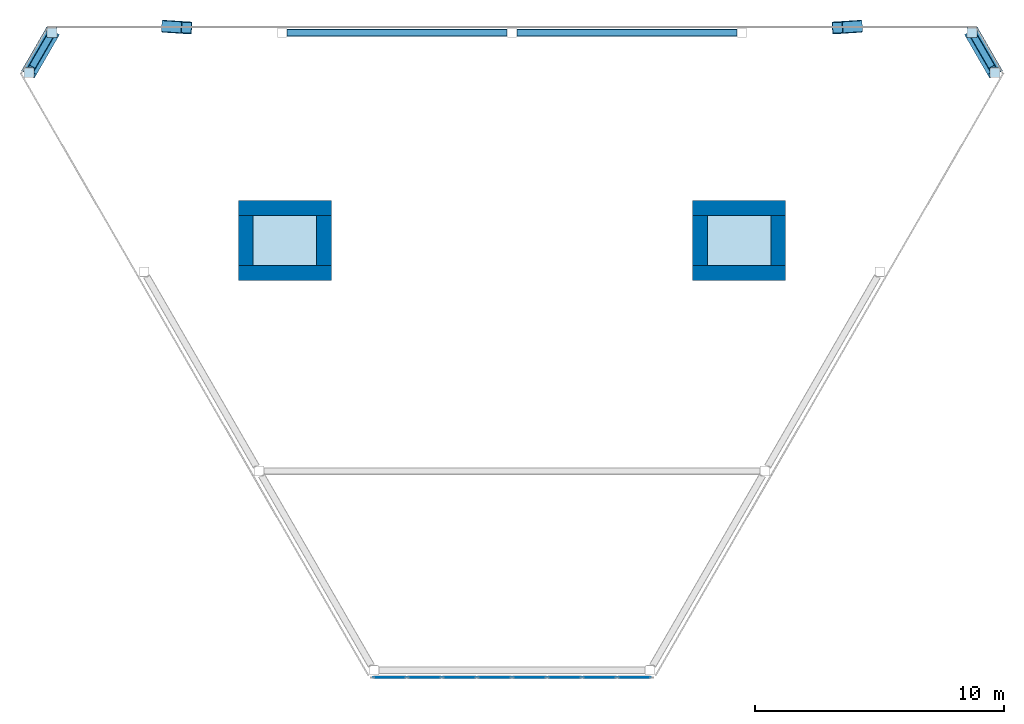
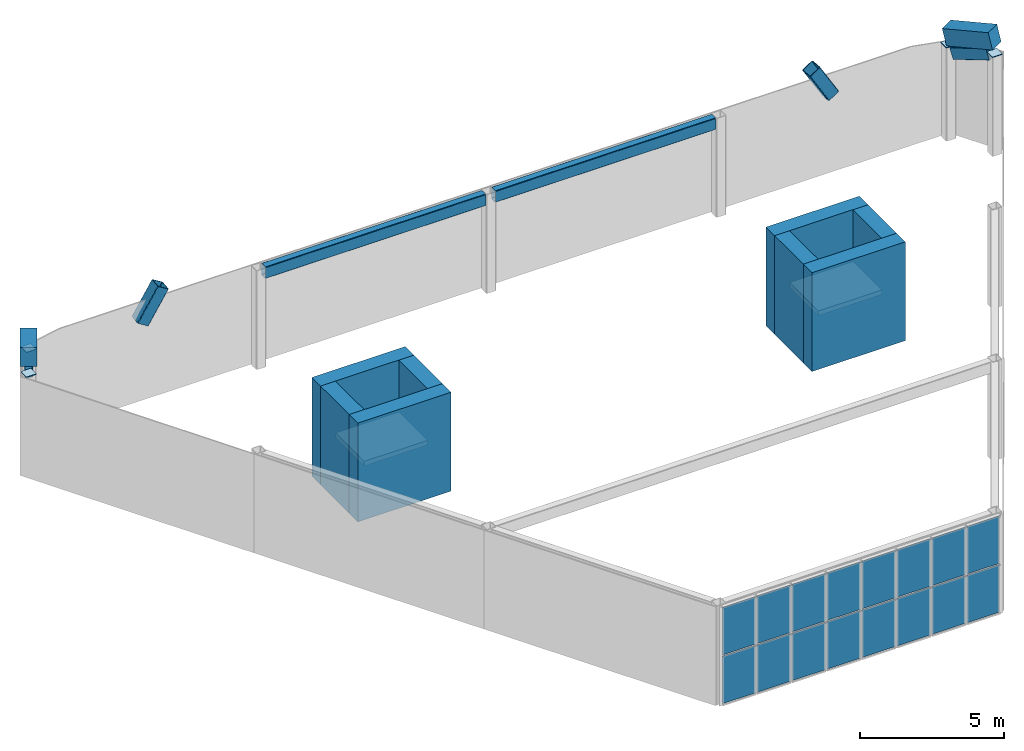
# One storey, part 3 of 4: 20 plates, 8 walls, 4 beams, 4 members, 2 slabs, 1 element without a shape of its own.
"""IFC4 building model written with IfcOpenShell, lengths in metres."""

from ifc_helpers import new_model, si_unit, direction, frame, frame_2d, origin, origin_2d, place, context, subcontext, project, spatial, polyline, rectangle, hollow_rectangle, outline, extrude, material, layer, layer_set, material_profile, profile_set, type_object, element, aggregate, save


model = new_model("IFC4")

# Units and contexts
model_context = context("Model", 3, precision=1e-05, world=origin(), true_north=direction((0.0, 1.0)))
body_context = subcontext(model_context, "Body", "Model", "MODEL_VIEW")
ifc_project = project(units=[si_unit("LENGTHUNIT", "METRE"), si_unit("AREAUNIT", "SQUARE_METRE"), si_unit("VOLUMEUNIT", "CUBIC_METRE"), si_unit("PLANEANGLEUNIT", "RADIAN"), si_unit("MASSUNIT", "GRAM", prefix="KILO")], contexts=[model_context])

# Site, building, storey
site_placement = place(None, origin())
site = spatial("IfcSite", under=ifc_project, at=site_placement, CompositionType="ELEMENT")
building_placement = place(site_placement, origin())
building = spatial("IfcBuilding", under=site, at=building_placement, Name="Aloe Facet Convention Tower", CompositionType="ELEMENT")
storey_placement = place(building_placement, frame((0.0, 0.0, 289.699951171875)))
storey = spatial("IfcBuildingStorey", under=building, at=storey_placement, Name="C2", CompositionType="ELEMENT", Elevation=289.699951171875)

# Members
ifc_material_1 = material(Name="Steel S355, bronze oxide finish", Category="steel")
ifc_material_profile_1 = material_profile(ifc_material_1, hollow_rectangle(XDim=0.5, YDim=0.5, WallThickness=0.02490234375, InnerFilletRadius=0.02490234375, OuterFilletRadius=0.050048828125, at=origin_2d()), Name="SHS 500x500x25")
ifc_profile_set_1 = profile_set([ifc_material_profile_1], Name="Steel S355, bronze oxide finish")
member_type_1 = type_object("IfcMemberType", Name="STW-CROWN FRAME BRACE", PredefinedType="BRACE", material=ifc_profile_set_1)
for number, where, z_axis, x_axis, name in (
    (1, (93.864501953125, 135.050048828125, 3.35009765625), (-0.509464012071, -0.032475162461, 0.859878935797), (0.063614670336, -0.997974535606, 0.0), "Crown frame brace CF-B-B01-N3"),
    (2, (66.135498046875, 135.050048828125, 3.35009765625), (0.509464012071, -0.032475162461, 0.859878935797), (0.063614670336, 0.997974535606, 0.0), "Crown frame brace CF-B-B04-N3"),
):
    element("IfcMember", number, at=place(storey_placement, frame(where, z_axis=z_axis, x_axis=x_axis)), inside=storey, type_object=member_type_1, Name=name, PredefinedType="BRACE", context=body_context, shape_type="SweptSolid", body=[
        extrude(hollow_rectangle(XDim=0.5, YDim=0.5, WallThickness=0.02490234375, InnerFilletRadius=0.02490234375, OuterFilletRadius=0.050048828125, at=origin_2d()), origin(), (0.0, 0.0, 1.0), 1.541259765625),
    ])

# Beams
ifc_material_2 = material(Name="Steel S355, bronze oxide finish", Category="steel")
ifc_material_profile_2 = material_profile(ifc_material_2, hollow_rectangle(XDim=0.300048828125, YDim=0.5, WallThickness=0.02001953125, InnerFilletRadius=0.02001953125, OuterFilletRadius=0.0400390625, at=origin_2d()), Name="RHS 500x300x20")
ifc_profile_set_2 = profile_set([ifc_material_profile_2], Name="Steel S355, bronze oxide finish")
beam_type_1 = type_object("IfcBeamType", Name="STW-CROWN FRAME CAP", PredefinedType="BEAM", material=ifc_profile_set_2)
for number, where, z_axis, x_axis, name in (
    (3, (61.413818359375, 134.626708984375, 3.7021484375), (-0.475584871082, -0.823686797212, 0.308802672423), (0.866012165801, -0.500022928159, 0.0), "Crown frame cap CF-C-B05"),
    (4, (99.31298828125, 133.367919921875, 4.174072265625), (-0.475584871082, 0.823686797212, -0.308802672423), (-0.866012165801, -0.500022928159, 0.0), "Crown frame cap CF-C-B13"),
):
    element("IfcBeam", number, at=place(storey_placement, frame(where, z_axis=z_axis, x_axis=x_axis)), inside=storey, type_object=beam_type_1, Name=name, PredefinedType="BEAM", context=body_context, shape_type="SweptSolid", body=[
        extrude(hollow_rectangle(XDim=0.300048828125, YDim=0.5, WallThickness=0.02001953125, InnerFilletRadius=0.02001953125, OuterFilletRadius=0.0400390625, at=origin_2d()), origin(), (0.0, 0.0, 1.0), 1.5283203125),
    ])
ifc_material_3 = material(Name="Steel S355, bronze oxide finish", Category="steel")
ifc_material_profile_3 = material_profile(ifc_material_3, hollow_rectangle(XDim=0.300048828125, YDim=0.5, WallThickness=0.02001953125, InnerFilletRadius=0.02001953125, OuterFilletRadius=0.0400390625, at=origin_2d()), Name="RHS 500x300x20")
ifc_profile_set_3 = profile_set([ifc_material_profile_3], Name="Steel S355, bronze oxide finish")
beam_type_2 = type_object("IfcBeamType", Name="STW-CROWN FRAME RING", PredefinedType="BEAM", material=ifc_profile_set_3)
for number, where, z_axis, x_axis, name in (
    (5, (89.04296875, 134.800048828125, 3.949951171875), (-1.0, 0.0, 0.0), (0.0, -1.0, 0.0), "Crown frame ring CF-R-B02-C3"),
    (6, (79.800048828125, 134.800048828125, 3.949951171875), (-1.0, 0.0, 0.0), (0.0, -1.0, 0.0), "Crown frame ring CF-R-B03-C3"),
):
    element("IfcBeam", number, at=place(storey_placement, frame(where, z_axis=z_axis, x_axis=x_axis)), inside=storey, type_object=beam_type_2, Name=name, PredefinedType="BEAM", context=body_context, shape_type="SweptSolid", body=[
        extrude(hollow_rectangle(XDim=0.300048828125, YDim=0.5, WallThickness=0.02001953125, InnerFilletRadius=0.02001953125, OuterFilletRadius=0.0400390625, at=origin_2d()), origin(), (0.0, 0.0, 1.0), 8.843017578125),
    ])

# Members
ifc_material_4 = material(Name="Precast concrete C40/50", Category="concrete")
ifc_material_profile_4 = material_profile(ifc_material_4, rectangle(XDim=0.60009765625, YDim=0.699951171875, at=origin_2d()), Name="STW-CROWN STONE CAP")
ifc_profile_set_4 = profile_set([ifc_material_profile_4], Name="Precast concrete C40/50")
member_type_2 = type_object("IfcMemberType", Name="STW-CROWN STONE CAP", PredefinedType="MEMBER", material=ifc_profile_set_4)
for number, where, z_axis, x_axis, name in (
    (7, (61.513916015625, 134.800048828125, 4.419677734375), (-0.484534081827, -0.839254896737, 0.246734557474), (0.866029853578, -0.499992292652, 0.0), "Crown stone cap CF-SC-B05"),
    (8, (99.412841796875, 133.19482421875, 4.8916015625), (-0.484534081827, 0.839254896737, -0.246734557474), (-0.866029853578, -0.499992292652, 0.0), "Crown stone cap CF-SC-B13"),
):
    element("IfcMember", number, at=place(storey_placement, frame(where, z_axis=z_axis, x_axis=x_axis)), inside=storey, type_object=member_type_2, Name=name, PredefinedType="MEMBER", context=body_context, shape_type="SweptSolid", body=[
        extrude(rectangle(XDim=0.60009765625, YDim=0.699951171875, at=origin_2d()), origin(), (0.0, 0.0, 1.0), 1.91259765625),
    ])

# Slabs
ifc_material_5 = material(Name="Concrete C50/60", Category="concrete")
ifc_layer_1 = layer(ifc_material_5, 0.199951171875)
ifc_layer_set_1 = layer_set([ifc_layer_1], Name="CR-S-LID200-C5060")
slab_type = type_object("IfcSlabType", Name="CR-S-LID200-C5060", PredefinedType="ROOF", material=ifc_layer_set_1)
slab_1_placement = place(storey_placement, frame((0.0, 0.0, 1.800048828125)))
element("IfcSlab", 9, at=slab_1_placement, inside=storey, type_object=slab_type, Name="Lift shaft lid FF1", PredefinedType="ROOF", context=body_context, shape_type="SweptSolid", body=[
    extrude(outline(polyline([(72.151123046875, 127.451171875), (72.151123046875, 125.44873046875), (69.598876953125, 125.44873046875), (69.598876953125, 127.451171875), (72.151123046875, 127.451171875)])), origin(), (0.0, 0.0, 1.0), 0.199951171875),
])
slab_2_placement = place(storey_placement, frame((0.0, 0.0, 1.800048828125)))
element("IfcSlab", 10, at=slab_2_placement, inside=storey, type_object=slab_type, Name="Lift shaft lid FF2", PredefinedType="ROOF", context=body_context, shape_type="SweptSolid", body=[
    extrude(outline(polyline([(90.401123046875, 127.451171875), (90.401123046875, 125.44873046875), (87.848876953125, 125.44873046875), (87.848876953125, 127.451171875), (90.401123046875, 127.451171875)])), origin(), (0.0, 0.0, 1.0), 0.199951171875),
])

# Curtain wall, plates
ifc_material_6 = material(Name="Aluminium, anodised", Category="aluminium")
curtain_wall_type = type_object("IfcCurtainWallType", Name="EV-CW-CROWN", PredefinedType="USERDEFINED", material=ifc_material_6)
curtain_wall_placement = place(storey_placement, origin())
curtain_wall = element("IfcCurtainWall", 11, at=curtain_wall_placement, inside=storey, type_object=curtain_wall_type, Name="CW-C2-Z09", ObjectType="CROWN SCREEN GLAZING", PredefinedType="USERDEFINED")
ifc_material_7 = material(Name="Clear double glazing", Category="glass")
ifc_layer_2 = layer(ifc_material_7, 0.031982421875)
ifc_layer_set_2 = layer_set([ifc_layer_2], Name="EV-PANEL-CROWN")
plate_type_1 = type_object("IfcPlateType", Name="EV-PANEL-CROWN", PredefinedType="CURTAIN_PANEL", material=ifc_layer_set_2)
plate_1_placement = place(storey_placement, frame((75.090087890625, 108.890625, 0.06005859375), z_axis=(0.0, 0.0, 1.0), x_axis=(1.0, 0.0, 0.0)))
plate_1 = element("IfcPlate", 12, at=plate_1_placement, type_object=plate_type_1, Name="CW-C2-Z09 panel 1.1", PredefinedType="CURTAIN_PANEL", context=body_context, shape_type="SweptSolid", body=[
    extrude(rectangle(XDim=1.317138671875, YDim=0.031982421875, at=origin_2d()), origin(), (0.0, 0.0, 1.0), 2.010009765625),
])
plate_2_placement = place(storey_placement, frame((75.090087890625, 108.890625, 2.1298828125), z_axis=(0.0, 0.0, 1.0), x_axis=(1.0, 0.0, 0.0)))
plate_2 = element("IfcPlate", 13, at=plate_2_placement, type_object=plate_type_1, Name="CW-C2-Z09 panel 1.2", PredefinedType="CURTAIN_PANEL", context=body_context, shape_type="SweptSolid", body=[
    extrude(rectangle(XDim=1.317138671875, YDim=0.031982421875, at=origin_2d()), origin(), (0.0, 0.0, 1.0), 2.010009765625),
])
plate_3_placement = place(storey_placement, frame((76.482177734375, 108.890625, 0.06005859375), z_axis=(0.0, 0.0, 1.0), x_axis=(1.0, 0.0, 0.0)))
plate_3 = element("IfcPlate", 14, at=plate_3_placement, type_object=plate_type_1, Name="CW-C2-Z09 panel 2.1", PredefinedType="CURTAIN_PANEL", context=body_context, shape_type="SweptSolid", body=[
    extrude(rectangle(XDim=1.34716796875, YDim=0.031982421875, at=origin_2d()), origin(), (0.0, 0.0, 1.0), 2.010009765625),
])
plate_4_placement = place(storey_placement, frame((76.482177734375, 108.890625, 2.1298828125), z_axis=(0.0, 0.0, 1.0), x_axis=(1.0, 0.0, 0.0)))
plate_4 = element("IfcPlate", 15, at=plate_4_placement, type_object=plate_type_1, Name="CW-C2-Z09 panel 2.2", PredefinedType="CURTAIN_PANEL", context=body_context, shape_type="SweptSolid", body=[
    extrude(rectangle(XDim=1.34716796875, YDim=0.031982421875, at=origin_2d()), origin(), (0.0, 0.0, 1.0), 2.010009765625),
])
plate_5_placement = place(storey_placement, frame((77.889404296875, 108.890625, 0.06005859375), z_axis=(0.0, 0.0, 1.0), x_axis=(1.0, 0.0, 0.0)))
plate_5 = element("IfcPlate", 16, at=plate_5_placement, type_object=plate_type_1, Name="CW-C2-Z09 panel 3.1", PredefinedType="CURTAIN_PANEL", context=body_context, shape_type="SweptSolid", body=[
    extrude(rectangle(XDim=1.34716796875, YDim=0.031982421875, at=origin_2d()), origin(), (0.0, 0.0, 1.0), 2.010009765625),
])
plate_6_placement = place(storey_placement, frame((77.889404296875, 108.890625, 2.1298828125), z_axis=(0.0, 0.0, 1.0), x_axis=(1.0, 0.0, 0.0)))
plate_6 = element("IfcPlate", 17, at=plate_6_placement, type_object=plate_type_1, Name="CW-C2-Z09 panel 3.2", PredefinedType="CURTAIN_PANEL", context=body_context, shape_type="SweptSolid", body=[
    extrude(rectangle(XDim=1.34716796875, YDim=0.031982421875, at=origin_2d()), origin(), (0.0, 0.0, 1.0), 2.010009765625),
])
plate_7_placement = place(storey_placement, frame((79.29638671875, 108.890625, 0.06005859375), z_axis=(0.0, 0.0, 1.0), x_axis=(1.0, 0.0, 0.0)))
plate_7 = element("IfcPlate", 18, at=plate_7_placement, type_object=plate_type_1, Name="CW-C2-Z09 panel 4.1", PredefinedType="CURTAIN_PANEL", context=body_context, shape_type="SweptSolid", body=[
    extrude(rectangle(XDim=1.34716796875, YDim=0.031982421875, at=origin_2d()), origin(), (0.0, 0.0, 1.0), 2.010009765625),
])
plate_8_placement = place(storey_placement, frame((79.29638671875, 108.890625, 2.1298828125), z_axis=(0.0, 0.0, 1.0), x_axis=(1.0, 0.0, 0.0)))
plate_8 = element("IfcPlate", 19, at=plate_8_placement, type_object=plate_type_1, Name="CW-C2-Z09 panel 4.2", PredefinedType="CURTAIN_PANEL", context=body_context, shape_type="SweptSolid", body=[
    extrude(rectangle(XDim=1.34716796875, YDim=0.031982421875, at=origin_2d()), origin(), (0.0, 0.0, 1.0), 2.010009765625),
])
plate_9_placement = place(storey_placement, frame((80.70361328125, 108.890625, 0.06005859375), z_axis=(0.0, 0.0, 1.0), x_axis=(1.0, 0.0, 0.0)))
plate_9 = element("IfcPlate", 20, at=plate_9_placement, type_object=plate_type_1, Name="CW-C2-Z09 panel 5.1", PredefinedType="CURTAIN_PANEL", context=body_context, shape_type="SweptSolid", body=[
    extrude(rectangle(XDim=1.34716796875, YDim=0.031982421875, at=origin_2d()), origin(), (0.0, 0.0, 1.0), 2.010009765625),
])
plate_10_placement = place(storey_placement, frame((80.70361328125, 108.890625, 2.1298828125), z_axis=(0.0, 0.0, 1.0), x_axis=(1.0, 0.0, 0.0)))
plate_10 = element("IfcPlate", 21, at=plate_10_placement, type_object=plate_type_1, Name="CW-C2-Z09 panel 5.2", PredefinedType="CURTAIN_PANEL", context=body_context, shape_type="SweptSolid", body=[
    extrude(rectangle(XDim=1.34716796875, YDim=0.031982421875, at=origin_2d()), origin(), (0.0, 0.0, 1.0), 2.010009765625),
])
plate_11_placement = place(storey_placement, frame((82.110595703125, 108.890625, 0.06005859375), z_axis=(0.0, 0.0, 1.0), x_axis=(1.0, 0.0, 0.0)))
plate_11 = element("IfcPlate", 22, at=plate_11_placement, type_object=plate_type_1, Name="CW-C2-Z09 panel 6.1", PredefinedType="CURTAIN_PANEL", context=body_context, shape_type="SweptSolid", body=[
    extrude(rectangle(XDim=1.34716796875, YDim=0.031982421875, at=origin_2d()), origin(), (0.0, 0.0, 1.0), 2.010009765625),
])
plate_12_placement = place(storey_placement, frame((82.110595703125, 108.890625, 2.1298828125), z_axis=(0.0, 0.0, 1.0), x_axis=(1.0, 0.0, 0.0)))
plate_12 = element("IfcPlate", 23, at=plate_12_placement, type_object=plate_type_1, Name="CW-C2-Z09 panel 6.2", PredefinedType="CURTAIN_PANEL", context=body_context, shape_type="SweptSolid", body=[
    extrude(rectangle(XDim=1.34716796875, YDim=0.031982421875, at=origin_2d()), origin(), (0.0, 0.0, 1.0), 2.010009765625),
])
plate_13_placement = place(storey_placement, frame((83.517822265625, 108.890625, 0.06005859375), z_axis=(0.0, 0.0, 1.0), x_axis=(1.0, 0.0, 0.0)))
plate_13 = element("IfcPlate", 24, at=plate_13_placement, type_object=plate_type_1, Name="CW-C2-Z09 panel 7.1", PredefinedType="CURTAIN_PANEL", context=body_context, shape_type="SweptSolid", body=[
    extrude(rectangle(XDim=1.34716796875, YDim=0.031982421875, at=origin_2d()), origin(), (0.0, 0.0, 1.0), 2.010009765625),
])
plate_14_placement = place(storey_placement, frame((83.517822265625, 108.890625, 2.1298828125), z_axis=(0.0, 0.0, 1.0), x_axis=(1.0, 0.0, 0.0)))
plate_14 = element("IfcPlate", 25, at=plate_14_placement, type_object=plate_type_1, Name="CW-C2-Z09 panel 7.2", PredefinedType="CURTAIN_PANEL", context=body_context, shape_type="SweptSolid", body=[
    extrude(rectangle(XDim=1.34716796875, YDim=0.031982421875, at=origin_2d()), origin(), (0.0, 0.0, 1.0), 2.010009765625),
])
plate_15_placement = place(storey_placement, frame((84.909912109375, 108.890625, 0.06005859375), z_axis=(0.0, 0.0, 1.0), x_axis=(1.0, 0.0, 0.0)))
plate_15 = element("IfcPlate", 26, at=plate_15_placement, type_object=plate_type_1, Name="CW-C2-Z09 panel 8.1", PredefinedType="CURTAIN_PANEL", context=body_context, shape_type="SweptSolid", body=[
    extrude(rectangle(XDim=1.317138671875, YDim=0.031982421875, at=origin_2d()), origin(), (0.0, 0.0, 1.0), 2.010009765625),
])
plate_16_placement = place(storey_placement, frame((84.909912109375, 108.890625, 2.1298828125), z_axis=(0.0, 0.0, 1.0), x_axis=(1.0, 0.0, 0.0)))
plate_16 = element("IfcPlate", 27, at=plate_16_placement, type_object=plate_type_1, Name="CW-C2-Z09 panel 8.2", PredefinedType="CURTAIN_PANEL", context=body_context, shape_type="SweptSolid", body=[
    extrude(rectangle(XDim=1.317138671875, YDim=0.031982421875, at=origin_2d()), origin(), (0.0, 0.0, 1.0), 2.010009765625),
])
aggregate(curtain_wall, [plate_1, plate_2, plate_3, plate_4, plate_5, plate_6, plate_7, plate_8, plate_9, plate_10, plate_11, plate_12, plate_13, plate_14, plate_15, plate_16])

# Plates
ifc_material_8 = material(Name="Steel S355", Category="steel")
ifc_layer_3 = layer(ifc_material_8, 0.030029296875)
ifc_layer_set_3 = layer_set([ifc_layer_3], Name="STW-CROWN END PLATE")
plate_type_2 = type_object("IfcPlateType", Name="STW-CROWN END PLATE", PredefinedType="SHEET", material=ifc_layer_set_3)
plate_17_placement = place(storey_placement, frame((0.0, 0.0, 3.9521484375)))
element("IfcPlate", 28, at=plate_17_placement, inside=storey, type_object=plate_type_2, Name="End plate CF-EP-N1", PredefinedType="SHEET", context=body_context, shape_type="SweptSolid", body=[
    extrude(outline(polyline([(98.2861328125, 134.60009765625), (98.68603515625, 134.60009765625), (98.68603515625, 135.0), (98.2861328125, 135.0), (98.2861328125, 134.60009765625)])), origin(), (0.0, 0.0, 1.0), 0.030029296875),
])
plate_18_placement = place(storey_placement, frame((0.0, 0.0, 3.9521484375)))
element("IfcPlate", 29, at=plate_18_placement, inside=storey, type_object=plate_type_2, Name="End plate CF-EP-N5", PredefinedType="SHEET", context=body_context, shape_type="SweptSolid", body=[
    extrude(outline(polyline([(61.31396484375, 134.60009765625), (61.7138671875, 134.60009765625), (61.7138671875, 135.0), (61.31396484375, 135.0), (61.31396484375, 134.60009765625)])), origin(), (0.0, 0.0, 1.0), 0.030029296875),
])
plate_19_placement = place(storey_placement, frame((0.0, 0.0, 4.199951171875)))
element("IfcPlate", 30, at=plate_19_placement, inside=storey, type_object=plate_type_2, Name="End plate CF-EP-WSW1", PredefinedType="SHEET", context=body_context, shape_type="SweptSolid", body=[
    extrude(outline(polyline([(60.386962890625, 132.99462890625), (60.787109375, 132.99462890625), (60.787109375, 133.394775390625), (60.386962890625, 133.394775390625), (60.386962890625, 132.99462890625)])), origin(), (0.0, 0.0, 1.0), 0.030029296875),
])
plate_20_placement = place(storey_placement, frame((0.0, 0.0, 4.199951171875)))
element("IfcPlate", 31, at=plate_20_placement, inside=storey, type_object=plate_type_2, Name="End plate CF-EP-ESE5", PredefinedType="SHEET", context=body_context, shape_type="SweptSolid", body=[
    extrude(outline(polyline([(99.212890625, 132.99462890625), (99.613037109375, 132.99462890625), (99.613037109375, 133.394775390625), (99.212890625, 133.394775390625), (99.212890625, 132.99462890625)])), origin(), (0.0, 0.0, 1.0), 0.030029296875),
])

# Walls
ifc_material_9 = material(Name="Concrete C50/60", Category="concrete")
ifc_layer_4 = layer(ifc_material_9, 0.60009765625)
ifc_layer_set_4 = layer_set([ifc_layer_4], Name="CR-W-RC600-C5060")
wall_type = type_object("IfcWallType", Name="CR-W-RC600-C5060", PredefinedType="SOLIDWALL", material=ifc_layer_set_4)
wall_1_placement = place(storey_placement, frame((69.0, 127.75, 0.0), z_axis=(0.0, 0.0, 1.0), x_axis=(1.0, 0.0, 0.0)))
element("IfcWall", 32, at=wall_1_placement, inside=storey, type_object=wall_type, Name="Core wall C2-001", PredefinedType="SOLIDWALL", context=body_context, shape_type="SweptSolid", body=[
    extrude(rectangle(XDim=3.75, YDim=0.60009765625, at=frame_2d((1.875, 0.0))), origin(), (0.0, 0.0, 1.0), 4.199951171875),
])
wall_2_placement = place(storey_placement, frame((69.300048828125, 127.449951171875, 0.0), z_axis=(0.0, 0.0, 1.0), x_axis=(0.0, -1.0, 0.0)))
element("IfcWall", 33, at=wall_2_placement, inside=storey, type_object=wall_type, Name="Core wall C2-002", PredefinedType="SOLIDWALL", context=body_context, shape_type="SweptSolid", body=[
    extrude(rectangle(XDim=2.0, YDim=0.60009765625, at=frame_2d((1.0, 0.0))), origin(), (0.0, 0.0, 1.0), 4.199951171875),
])
wall_3_placement = place(storey_placement, frame((69.0, 125.14990234375, 0.0), z_axis=(0.0, 0.0, 1.0), x_axis=(1.0, 0.0, 0.0)))
element("IfcWall", 34, at=wall_3_placement, inside=storey, type_object=wall_type, Name="Core wall C2-003", PredefinedType="SOLIDWALL", context=body_context, shape_type="SweptSolid", body=[
    extrude(rectangle(XDim=3.75, YDim=0.60009765625, at=frame_2d((1.875, 0.0))), origin(), (0.0, 0.0, 1.0), 4.199951171875),
])
wall_4_placement = place(storey_placement, frame((72.449951171875, 127.449951171875, 0.0), z_axis=(0.0, 0.0, 1.0), x_axis=(0.0, -1.0, 0.0)))
element("IfcWall", 35, at=wall_4_placement, inside=storey, type_object=wall_type, Name="Core wall C2-004", PredefinedType="SOLIDWALL", context=body_context, shape_type="SweptSolid", body=[
    extrude(rectangle(XDim=2.0, YDim=0.60009765625, at=frame_2d((1.0, 0.0))), origin(), (0.0, 0.0, 1.0), 4.199951171875),
])
wall_5_placement = place(storey_placement, frame((87.25, 127.75, 0.0), z_axis=(0.0, 0.0, 1.0), x_axis=(1.0, 0.0, 0.0)))
element("IfcWall", 36, at=wall_5_placement, inside=storey, type_object=wall_type, Name="Core wall C2-005", PredefinedType="SOLIDWALL", context=body_context, shape_type="SweptSolid", body=[
    extrude(rectangle(XDim=3.75, YDim=0.60009765625, at=frame_2d((1.875, 0.0))), origin(), (0.0, 0.0, 1.0), 4.199951171875),
])
wall_6_placement = place(storey_placement, frame((87.550048828125, 127.449951171875, 0.0), z_axis=(0.0, 0.0, 1.0), x_axis=(0.0, -1.0, 0.0)))
element("IfcWall", 37, at=wall_6_placement, inside=storey, type_object=wall_type, Name="Core wall C2-006", PredefinedType="SOLIDWALL", context=body_context, shape_type="SweptSolid", body=[
    extrude(rectangle(XDim=2.0, YDim=0.60009765625, at=frame_2d((1.0, 0.0))), origin(), (0.0, 0.0, 1.0), 4.199951171875),
])
wall_7_placement = place(storey_placement, frame((87.25, 125.14990234375, 0.0), z_axis=(0.0, 0.0, 1.0), x_axis=(1.0, 0.0, 0.0)))
element("IfcWall", 38, at=wall_7_placement, inside=storey, type_object=wall_type, Name="Core wall C2-007", PredefinedType="SOLIDWALL", context=body_context, shape_type="SweptSolid", body=[
    extrude(rectangle(XDim=3.75, YDim=0.60009765625, at=frame_2d((1.875, 0.0))), origin(), (0.0, 0.0, 1.0), 4.199951171875),
])
wall_8_placement = place(storey_placement, frame((90.699951171875, 127.449951171875, 0.0), z_axis=(0.0, 0.0, 1.0), x_axis=(0.0, -1.0, 0.0)))
element("IfcWall", 39, at=wall_8_placement, inside=storey, type_object=wall_type, Name="Core wall C2-008", PredefinedType="SOLIDWALL", context=body_context, shape_type="SweptSolid", body=[
    extrude(rectangle(XDim=2.0, YDim=0.60009765625, at=frame_2d((1.0, 0.0))), origin(), (0.0, 0.0, 1.0), 4.199951171875),
])

save(model, "model.ifc")
